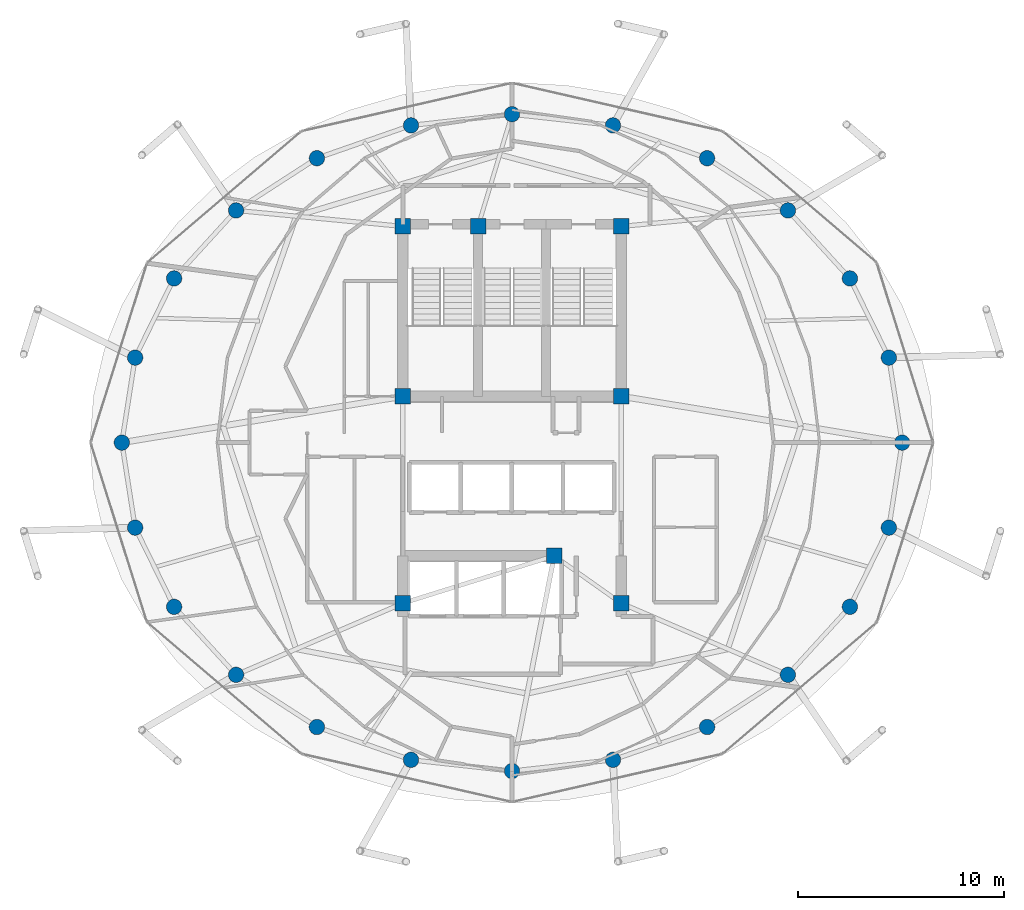
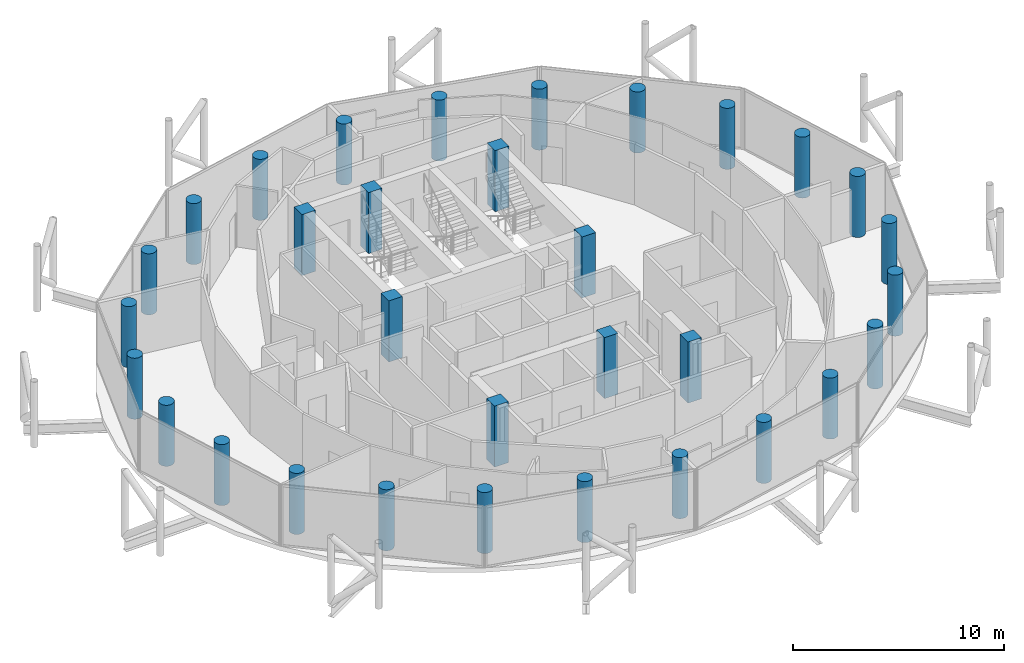
# One storey, part 1 of 24: 32 columns.
"""IFC4 building model written with IfcOpenShell, lengths in metres."""

from ifc_helpers import new_model, si_unit, direction, frame, origin, origin_2d, place, context, subcontext, project, spatial, rectangle, circle, extrude, material, material_profile, profile_set, type_object, element, save


model = new_model("IFC4")

# Units and contexts
model_context = context("Model", 3, precision=1e-05, world=origin(), true_north=direction((0.0, 1.0)))
body_context = subcontext(model_context, "Body", "Model", "MODEL_VIEW")
ifc_project = project(units=[si_unit("LENGTHUNIT", "METRE"), si_unit("AREAUNIT", "SQUARE_METRE"), si_unit("VOLUMEUNIT", "CUBIC_METRE"), si_unit("PLANEANGLEUNIT", "RADIAN"), si_unit("MASSUNIT", "GRAM", prefix="KILO")], contexts=[model_context])

# Site, building, storey
site_placement = place(None, origin())
site = spatial("IfcSite", under=ifc_project, at=site_placement, CompositionType="ELEMENT")
building_placement = place(site_placement, origin())
building = spatial("IfcBuilding", under=site, at=building_placement, Name="Nuhasar Tower", CompositionType="ELEMENT")
storey_placement = place(building_placement, frame((0.0, 0.0, 267.0)))
storey = spatial("IfcBuildingStorey", under=building, at=storey_placement, Name="L66", CompositionType="ELEMENT", Elevation=267.0)

# Columns
ifc_material = material(Name="Concrete C50/60", Category="concrete")
ifc_material_profile_1 = material_profile(ifc_material, circle(Radius=0.375, at=origin_2d()), Name="CFT750")
ifc_profile_set_1 = profile_set([ifc_material_profile_1], Name="Concrete C50/60")
column_type_1 = type_object("IfcColumnType", Name="COL-CFT-750", PredefinedType="COLUMN", material=ifc_profile_set_1)
for number, where, z_axis, x_axis, name in (
    (1, (57.949951171875, 26.800048828125, 0.0), (0.0, 0.0, 1.0), (1.0, 0.0, 0.0), "L66 Perimeter Composite Column TC-01"),
    (2, (57.303955078125, 30.927978515625, 0.0), (0.0, 0.0, 1.0), (1.0, 0.0, 0.0), "L66 Perimeter Composite Column TC-02"),
    (3, (55.410888671875, 34.77490234375, 0.0), (0.0, 0.0, 1.0), (1.0, 0.0, 0.0), "L66 Perimeter Composite Column TC-03"),
    (4, (52.39990234375, 38.077880859375, 0.0), (0.0, 0.0, 1.0), (1.0, 0.0, 0.0), "L66 Perimeter Composite Column TC-04"),
    (5, (48.47509765625, 40.613037109375, 0.0), (0.0, 0.0, 1.0), (1.0, 0.0, 0.0), "L66 Perimeter Composite Column TC-05"),
    (6, (43.905029296875, 42.20703125, 0.0), (0.0, 0.0, 1.0), (1.0, 0.0, 0.0), "L66 Perimeter Composite Column TC-06"),
    (7, (39.0, 42.75, 0.0), (0.0, 0.0, 1.0), (1.0, 0.0, 0.0), "L66 Perimeter Composite Column TC-07"),
    (8, (34.094970703125, 42.20703125, 0.0), (0.0, 0.0, 1.0), (1.0, 0.0, 0.0), "L66 Perimeter Composite Column TC-08"),
    (9, (29.52490234375, 40.613037109375, 0.0), (0.0, 0.0, 1.0), (1.0, 0.0, 0.0), "L66 Perimeter Composite Column TC-09"),
    (10, (25.60009765625, 38.077880859375, 0.0), (0.0, 0.0, 1.0), (1.0, 0.0, 0.0), "L66 Perimeter Composite Column TC-10"),
    (11, (22.589111328125, 34.77490234375, 0.0), (0.0, 0.0, 1.0), (1.0, 0.0, 0.0), "L66 Perimeter Composite Column TC-11"),
    (12, (20.696044921875, 30.927978515625, 0.0), (0.0, 0.0, 1.0), (1.0, 0.0, 0.0), "L66 Perimeter Composite Column TC-12"),
    (13, (20.050048828125, 26.800048828125, 0.0), (0.0, 0.0, 1.0), (1.0, 0.0, 0.0), "L66 Perimeter Composite Column TC-13"),
    (14, (20.696044921875, 22.672119140625, 0.0), (0.0, 0.0, 1.0), (1.0, 0.0, 0.0), "L66 Perimeter Composite Column TC-14"),
    (15, (22.589111328125, 18.824951171875, 0.0), (0.0, 0.0, 1.0), (1.0, 0.0, 0.0), "L66 Perimeter Composite Column TC-15"),
    (16, (25.60009765625, 15.52197265625, 0.0), (0.0, 0.0, 1.0), (1.0, 0.0, 0.0), "L66 Perimeter Composite Column TC-16"),
    (17, (29.52490234375, 12.987060546875, 0.0), (0.0, 0.0, 1.0), (1.0, 0.0, 0.0), "L66 Perimeter Composite Column TC-17"),
    (18, (34.094970703125, 11.39306640625, 0.0), (0.0, 0.0, 1.0), (1.0, 0.0, 0.0), "L66 Perimeter Composite Column TC-18"),
    (19, (39.0, 10.85009765625, 0.0), (0.0, 0.0, 1.0), (1.0, 0.0, 0.0), "L66 Perimeter Composite Column TC-19"),
    (20, (43.905029296875, 11.39306640625, 0.0), (0.0, 0.0, 1.0), (1.0, 0.0, 0.0), "L66 Perimeter Composite Column TC-20"),
    (21, (48.47509765625, 12.987060546875, 0.0), (0.0, 0.0, 1.0), (1.0, 0.0, 0.0), "L66 Perimeter Composite Column TC-21"),
    (22, (52.39990234375, 15.52197265625, 0.0), (0.0, 0.0, 1.0), (1.0, 0.0, 0.0), "L66 Perimeter Composite Column TC-22"),
    (23, (55.410888671875, 18.824951171875, 0.0), (0.0, 0.0, 1.0), (1.0, 0.0, 0.0), "L66 Perimeter Composite Column TC-23"),
    (24, (57.303955078125, 22.672119140625, 0.0), (0.0, 0.0, 1.0), (1.0, 0.0, 0.0), "L66 Perimeter Composite Column TC-24"),
):
    element("IfcColumn", number, at=place(storey_placement, frame(where, z_axis=z_axis, x_axis=x_axis)), inside=storey, type_object=column_type_1, Name=name, PredefinedType="COLUMN", context=body_context, shape_type="SweptSolid", body=[
        extrude(circle(Radius=0.375, at=origin_2d()), origin(), (0.0, 0.0, 1.0), 3.5400390625),
    ])
ifc_material_profile_2 = material_profile(ifc_material, rectangle(XDim=0.75, YDim=0.75, at=origin_2d()), Name="RC750X750")
ifc_profile_set_2 = profile_set([ifc_material_profile_2], Name="Concrete C50/60")
column_type_2 = type_object("IfcColumnType", Name="PIL-RC-750", PredefinedType="PILASTER", material=ifc_profile_set_2)
for number, where, z_axis, x_axis, name in (
    (25, (33.699951171875, 19.0, 0.0), (0.0, 0.0, 1.0), (1.0, 0.0, 0.0), "L66 Core Boundary Pilaster CC-01"),
    (26, (41.050048828125, 21.300048828125, 0.0), (0.0, 0.0, 1.0), (1.0, 0.0, 0.0), "L66 Core Boundary Pilaster CC-02"),
    (27, (44.300048828125, 19.0, 0.0), (0.0, 0.0, 1.0), (1.0, 0.0, 0.0), "L66 Core Boundary Pilaster CC-03"),
    (28, (44.300048828125, 29.050048828125, 0.0), (0.0, 0.0, 1.0), (1.0, 0.0, 0.0), "L66 Core Boundary Pilaster CC-04"),
    (29, (44.300048828125, 37.300048828125, 0.0), (0.0, 0.0, 1.0), (1.0, 0.0, 0.0), "L66 Core Boundary Pilaster CC-05"),
    (30, (37.35009765625, 37.300048828125, 0.0), (0.0, 0.0, 1.0), (1.0, 0.0, 0.0), "L66 Core Boundary Pilaster CC-06"),
    (31, (33.699951171875, 37.300048828125, 0.0), (0.0, 0.0, 1.0), (1.0, 0.0, 0.0), "L66 Core Boundary Pilaster CC-07"),
    (32, (33.699951171875, 29.050048828125, 0.0), (0.0, 0.0, 1.0), (1.0, 0.0, 0.0), "L66 Core Boundary Pilaster CC-08"),
):
    element("IfcColumn", number, at=place(storey_placement, frame(where, z_axis=z_axis, x_axis=x_axis)), inside=storey, type_object=column_type_2, Name=name, PredefinedType="PILASTER", context=body_context, shape_type="SweptSolid", body=[
        extrude(rectangle(XDim=0.75, YDim=0.75, at=origin_2d()), origin(), (0.0, 0.0, 1.0), 3.5400390625),
    ])

save(model, "model.ifc")
